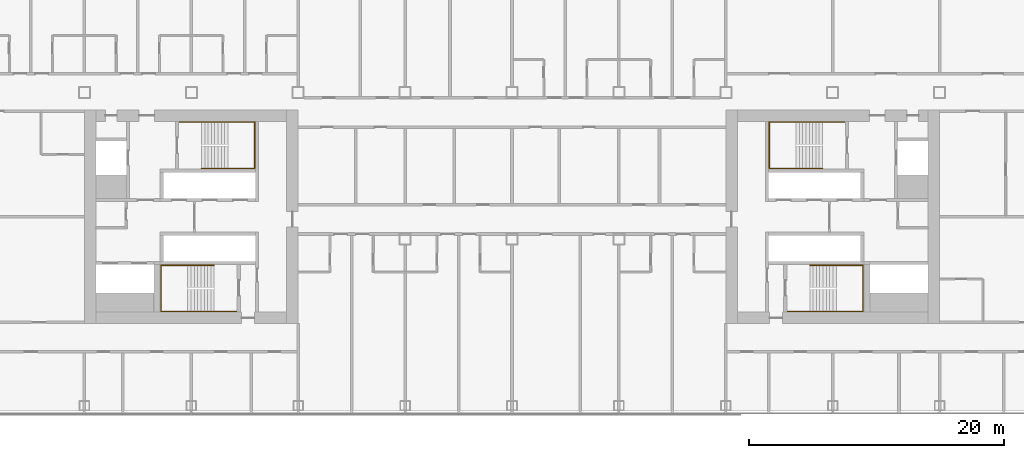
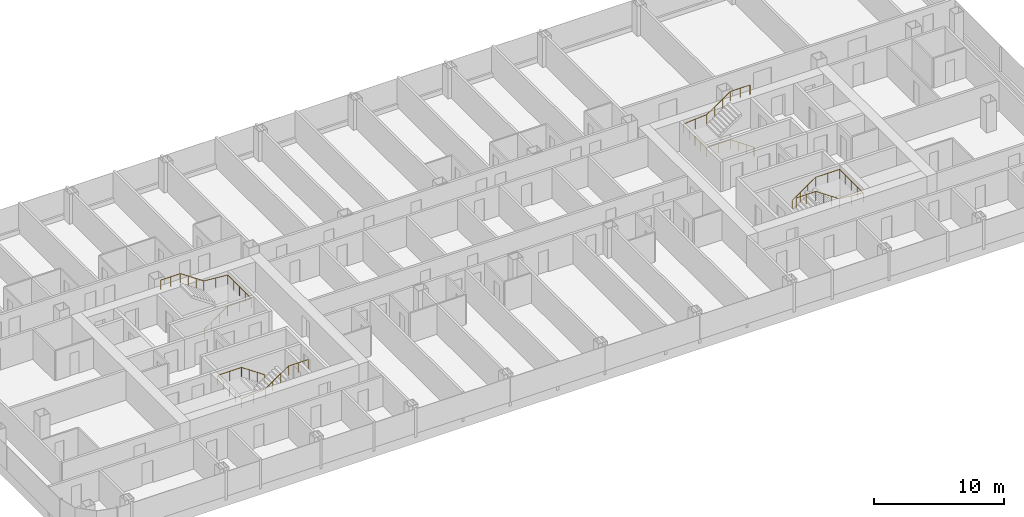
# One storey, part 29 of 29: 4 railings.
"""IFC4 building model written with IfcOpenShell, lengths in metres."""

from ifc_helpers import new_model, si_unit, direction, frame, origin, origin_2d, place, context, subcontext, project, spatial, circle, extrude, material, type_object, element, save


model = new_model("IFC4")

# Units and contexts
model_context = context("Model", 3, precision=1e-05, world=origin(), true_north=direction((0.0, 1.0)))
body_context = subcontext(model_context, "Body", "Model", "MODEL_VIEW")
ifc_project = project(units=[si_unit("LENGTHUNIT", "METRE"), si_unit("AREAUNIT", "SQUARE_METRE"), si_unit("VOLUMEUNIT", "CUBIC_METRE"), si_unit("PLANEANGLEUNIT", "RADIAN"), si_unit("MASSUNIT", "GRAM", prefix="KILO")], contexts=[model_context])

# Site, building, storey
site_placement = place(None, origin())
site = spatial("IfcSite", under=ifc_project, at=site_placement, CompositionType="ELEMENT")
building_placement = place(site_placement, origin())
building = spatial("IfcBuilding", under=site, at=building_placement, Name="Hakoniwa Tower and Hamabe Station Hall", CompositionType="ELEMENT")
storey_placement = place(building_placement, frame((0.0, 0.0, 110.60009765625)))
storey = spatial("IfcBuildingStorey", under=building, at=storey_placement, Name="L31", CompositionType="ELEMENT", Elevation=110.60009765625)

# Railings
ifc_material = material(Name="Stainless steel SUS304", Category="steel")
railing_type = type_object("IfcRailingType", Name="STAIR HANDRAIL 900", PredefinedType="HANDRAIL", material=ifc_material)
railing_1_placement = place(storey_placement, frame((-24.39990234375, 3.81005859375, 0.177734375)))
element("IfcRailing", 1, at=railing_1_placement, inside=storey, type_object=railing_type, Name="Handrail ST-1 L31 1", PredefinedType="HANDRAIL", context=body_context, shape_type="SweptSolid", body=[
    extrude(circle(Radius=0.02392578125, at=origin_2d()), frame((0.0, 0.0, 0.8759765625), z_axis=(0.825478349766, 0.0, 0.564433781827), x_axis=(0.0, 1.0, 0.0)), (0.0, 0.0, 1.0), 2.51953125),
    extrude(circle(Radius=0.02392578125, at=origin_2d()), frame((2.079833984375, 0.0, 2.2978515625), z_axis=(1.0, 0.0, 0.0), x_axis=(0.0, 1.0, 0.0)), (0.0, 0.0, 1.0), 2.110107421875),
    extrude(circle(Radius=0.02392578125, at=origin_2d()), frame((4.18994140625, 0.0, 2.2978515625), z_axis=(0.0, 1.0, 0.0), x_axis=(-1.0, 0.0, 0.0)), (0.0, 0.0, 1.0), 3.6298828125),
    extrude(circle(Radius=0.02392578125, at=origin_2d()), frame((4.18994140625, 3.6298828125, 2.2978515625), z_axis=(-0.996471417081, 0.0, 0.083932800143), x_axis=(0.0, -1.0, 0.0)), (0.0, 0.0, 1.0), 2.11767578125),
    extrude(circle(Radius=0.02392578125, at=origin_2d()), frame((2.079833984375, 3.6298828125, 2.4755859375), z_axis=(-0.825433201882, 0.0, 0.564499804456), x_axis=(0.0, -1.0, 0.0)), (0.0, 0.0, 1.0), 2.519775390625),
    extrude(circle(Radius=0.02392578125, at=origin_2d()), frame((0.0, 3.6298828125, 3.89794921875), z_axis=(-1.0, 0.0, 0.0), x_axis=(0.0, -1.0, 0.0)), (0.0, 0.0, 1.0), 1.739990234375),
    extrude(circle(Radius=0.02099609375, at=origin_2d()), origin(), (0.0, 0.0, 1.0), 0.851806640625),
    extrude(circle(Radius=0.02099609375, at=origin_2d()), frame((0.693359375, 0.0, 0.47412109375)), (0.0, 0.0, 1.0), 0.851806640625),
    extrude(circle(Radius=0.02099609375, at=origin_2d()), frame((1.386474609375, 0.0, 0.947998046875)), (0.0, 0.0, 1.0), 0.851806640625),
    extrude(circle(Radius=0.02099609375, at=origin_2d()), frame((2.079833984375, 0.0, 1.422119140625)), (0.0, 0.0, 1.0), 0.851806640625),
    extrude(circle(Radius=0.02099609375, at=origin_2d()), frame((3.134765625, 0.0, 1.422119140625)), (0.0, 0.0, 1.0), 0.851806640625),
    extrude(circle(Radius=0.02099609375, at=origin_2d()), frame((4.18994140625, 0.0, 1.422119140625)), (0.0, 0.0, 1.0), 0.851806640625),
    extrude(circle(Radius=0.02099609375, at=origin_2d()), frame((4.18994140625, 0.907470703125, 1.422119140625)), (0.0, 0.0, 1.0), 0.851806640625),
    extrude(circle(Radius=0.02099609375, at=origin_2d()), frame((4.18994140625, 1.81494140625, 1.422119140625)), (0.0, 0.0, 1.0), 0.851806640625),
    extrude(circle(Radius=0.02099609375, at=origin_2d()), frame((4.18994140625, 2.722412109375, 1.422119140625)), (0.0, 0.0, 1.0), 0.851806640625),
    extrude(circle(Radius=0.02099609375, at=origin_2d()), frame((4.18994140625, 3.6298828125, 1.422119140625)), (0.0, 0.0, 1.0), 0.851806640625),
    extrude(circle(Radius=0.02099609375, at=origin_2d()), frame((3.134765625, 3.6298828125, 1.510986328125)), (0.0, 0.0, 1.0), 0.851806640625),
    extrude(circle(Radius=0.02099609375, at=origin_2d()), frame((2.079833984375, 3.6298828125, 1.599853515625)), (0.0, 0.0, 1.0), 0.851806640625),
    extrude(circle(Radius=0.02099609375, at=origin_2d()), frame((1.386474609375, 3.6298828125, 2.073974609375)), (0.0, 0.0, 1.0), 0.851806640625),
    extrude(circle(Radius=0.02099609375, at=origin_2d()), frame((0.693359375, 3.6298828125, 2.548095703125)), (0.0, 0.0, 1.0), 0.851806640625),
    extrude(circle(Radius=0.02099609375, at=origin_2d()), frame((0.0, 3.6298828125, 3.022216796875)), (0.0, 0.0, 1.0), 0.851806640625),
    extrude(circle(Radius=0.02099609375, at=origin_2d()), frame((-0.8701171875, 3.6298828125, 3.022216796875)), (0.0, 0.0, 1.0), 0.851806640625),
    extrude(circle(Radius=0.02099609375, at=origin_2d()), frame((-1.739990234375, 3.6298828125, 3.022216796875)), (0.0, 0.0, 1.0), 0.851806640625),
])
railing_2_placement = place(storey_placement, frame((-23.39990234375, -3.81005859375, 0.177734375)))
element("IfcRailing", 2, at=railing_2_placement, inside=storey, type_object=railing_type, Name="Handrail ST-2 L31 1", PredefinedType="HANDRAIL", context=body_context, shape_type="SweptSolid", body=[
    extrude(circle(Radius=0.02392578125, at=origin_2d()), frame((0.0, 0.0, 0.8759765625), z_axis=(-0.82550921652, 0.0, 0.564388636881), x_axis=(0.0, -1.0, 0.0)), (0.0, 0.0, 1.0), 2.519775390625),
    extrude(circle(Radius=0.02392578125, at=origin_2d()), frame((-2.080078125, 0.0, 2.2978515625), z_axis=(-1.0, 0.0, 0.0), x_axis=(0.0, -1.0, 0.0)), (0.0, 0.0, 1.0), 2.110107421875),
    extrude(circle(Radius=0.02392578125, at=origin_2d()), frame((-4.190185546875, 0.0, 2.2978515625), z_axis=(0.0, -1.0, 0.0), x_axis=(1.0, 0.0, 0.0)), (0.0, 0.0, 1.0), 3.6298828125),
    extrude(circle(Radius=0.02392578125, at=origin_2d()), frame((-4.190185546875, -3.6298828125, 2.2978515625), z_axis=(0.996471417081, 0.0, 0.083932800143), x_axis=(0.0, 1.0, 0.0)), (0.0, 0.0, 1.0), 2.11767578125),
    extrude(circle(Radius=0.02392578125, at=origin_2d()), frame((-2.080078125, -3.6298828125, 2.4755859375), z_axis=(0.825464074169, 0.0, 0.564454659168), x_axis=(0.0, 1.0, 0.0)), (0.0, 0.0, 1.0), 2.519775390625),
    extrude(circle(Radius=0.02392578125, at=origin_2d()), frame((0.0, -3.6298828125, 3.89794921875), z_axis=(1.0, 0.0, 0.0), x_axis=(0.0, 1.0, 0.0)), (0.0, 0.0, 1.0), 1.739990234375),
    extrude(circle(Radius=0.02099609375, at=origin_2d()), origin(), (0.0, 0.0, 1.0), 0.851806640625),
    extrude(circle(Radius=0.02099609375, at=origin_2d()), frame((-0.693359375, 0.0, 0.47412109375)), (0.0, 0.0, 1.0), 0.851806640625),
    extrude(circle(Radius=0.02099609375, at=origin_2d()), frame((-1.38671875, 0.0, 0.947998046875)), (0.0, 0.0, 1.0), 0.851806640625),
    extrude(circle(Radius=0.02099609375, at=origin_2d()), frame((-2.080078125, 0.0, 1.422119140625)), (0.0, 0.0, 1.0), 0.851806640625),
    extrude(circle(Radius=0.02099609375, at=origin_2d()), frame((-3.13525390625, 0.0, 1.422119140625)), (0.0, 0.0, 1.0), 0.851806640625),
    extrude(circle(Radius=0.02099609375, at=origin_2d()), frame((-4.190185546875, 0.0, 1.422119140625)), (0.0, 0.0, 1.0), 0.851806640625),
    extrude(circle(Radius=0.02099609375, at=origin_2d()), frame((-4.190185546875, -0.907470703125, 1.422119140625)), (0.0, 0.0, 1.0), 0.851806640625),
    extrude(circle(Radius=0.02099609375, at=origin_2d()), frame((-4.190185546875, -1.81494140625, 1.422119140625)), (0.0, 0.0, 1.0), 0.851806640625),
    extrude(circle(Radius=0.02099609375, at=origin_2d()), frame((-4.190185546875, -2.722412109375, 1.422119140625)), (0.0, 0.0, 1.0), 0.851806640625),
    extrude(circle(Radius=0.02099609375, at=origin_2d()), frame((-4.190185546875, -3.6298828125, 1.422119140625)), (0.0, 0.0, 1.0), 0.851806640625),
    extrude(circle(Radius=0.02099609375, at=origin_2d()), frame((-3.13525390625, -3.6298828125, 1.510986328125)), (0.0, 0.0, 1.0), 0.851806640625),
    extrude(circle(Radius=0.02099609375, at=origin_2d()), frame((-2.080078125, -3.6298828125, 1.599853515625)), (0.0, 0.0, 1.0), 0.851806640625),
    extrude(circle(Radius=0.02099609375, at=origin_2d()), frame((-1.38671875, -3.6298828125, 2.073974609375)), (0.0, 0.0, 1.0), 0.851806640625),
    extrude(circle(Radius=0.02099609375, at=origin_2d()), frame((-0.693359375, -3.6298828125, 2.548095703125)), (0.0, 0.0, 1.0), 0.851806640625),
    extrude(circle(Radius=0.02099609375, at=origin_2d()), frame((0.0, -3.6298828125, 3.022216796875)), (0.0, 0.0, 1.0), 0.851806640625),
    extrude(circle(Radius=0.02099609375, at=origin_2d()), frame((0.8701171875, -3.6298828125, 3.022216796875)), (0.0, 0.0, 1.0), 0.851806640625),
    extrude(circle(Radius=0.02099609375, at=origin_2d()), frame((1.739990234375, -3.6298828125, 3.022216796875)), (0.0, 0.0, 1.0), 0.851806640625),
])
railing_3_placement = place(storey_placement, frame((24.39990234375, 3.81005859375, 0.177734375)))
element("IfcRailing", 3, at=railing_3_placement, inside=storey, type_object=railing_type, Name="Handrail ST-3 L31 1", PredefinedType="HANDRAIL", context=body_context, shape_type="SweptSolid", body=[
    extrude(circle(Radius=0.02392578125, at=origin_2d()), frame((0.0, 0.0, 0.8759765625), z_axis=(-0.825478349766, 0.0, 0.564433781827), x_axis=(0.0, -1.0, 0.0)), (0.0, 0.0, 1.0), 2.51953125),
    extrude(circle(Radius=0.02392578125, at=origin_2d()), frame((-2.079833984375, 0.0, 2.2978515625), z_axis=(-1.0, 0.0, 0.0), x_axis=(0.0, -1.0, 0.0)), (0.0, 0.0, 1.0), 2.110107421875),
    extrude(circle(Radius=0.02392578125, at=origin_2d()), frame((-4.18994140625, 0.0, 2.2978515625), z_axis=(0.0, 1.0, 0.0), x_axis=(-1.0, 0.0, 0.0)), (0.0, 0.0, 1.0), 3.6298828125),
    extrude(circle(Radius=0.02392578125, at=origin_2d()), frame((-4.18994140625, 3.6298828125, 2.2978515625), z_axis=(0.996471417081, 0.0, 0.083932800143), x_axis=(0.0, 1.0, 0.0)), (0.0, 0.0, 1.0), 2.11767578125),
    extrude(circle(Radius=0.02392578125, at=origin_2d()), frame((-2.079833984375, 3.6298828125, 2.4755859375), z_axis=(0.825433201882, 0.0, 0.564499804456), x_axis=(0.0, 1.0, 0.0)), (0.0, 0.0, 1.0), 2.519775390625),
    extrude(circle(Radius=0.02392578125, at=origin_2d()), frame((0.0, 3.6298828125, 3.89794921875), z_axis=(1.0, 0.0, 0.0), x_axis=(0.0, 1.0, 0.0)), (0.0, 0.0, 1.0), 1.739990234375),
    extrude(circle(Radius=0.02099609375, at=origin_2d()), origin(), (0.0, 0.0, 1.0), 0.851806640625),
    extrude(circle(Radius=0.02099609375, at=origin_2d()), frame((-0.693359375, 0.0, 0.47412109375)), (0.0, 0.0, 1.0), 0.851806640625),
    extrude(circle(Radius=0.02099609375, at=origin_2d()), frame((-1.386474609375, 0.0, 0.947998046875)), (0.0, 0.0, 1.0), 0.851806640625),
    extrude(circle(Radius=0.02099609375, at=origin_2d()), frame((-2.079833984375, 0.0, 1.422119140625)), (0.0, 0.0, 1.0), 0.851806640625),
    extrude(circle(Radius=0.02099609375, at=origin_2d()), frame((-3.134765625, 0.0, 1.422119140625)), (0.0, 0.0, 1.0), 0.851806640625),
    extrude(circle(Radius=0.02099609375, at=origin_2d()), frame((-4.18994140625, 0.0, 1.422119140625)), (0.0, 0.0, 1.0), 0.851806640625),
    extrude(circle(Radius=0.02099609375, at=origin_2d()), frame((-4.18994140625, 0.907470703125, 1.422119140625)), (0.0, 0.0, 1.0), 0.851806640625),
    extrude(circle(Radius=0.02099609375, at=origin_2d()), frame((-4.18994140625, 1.81494140625, 1.422119140625)), (0.0, 0.0, 1.0), 0.851806640625),
    extrude(circle(Radius=0.02099609375, at=origin_2d()), frame((-4.18994140625, 2.722412109375, 1.422119140625)), (0.0, 0.0, 1.0), 0.851806640625),
    extrude(circle(Radius=0.02099609375, at=origin_2d()), frame((-4.18994140625, 3.6298828125, 1.422119140625)), (0.0, 0.0, 1.0), 0.851806640625),
    extrude(circle(Radius=0.02099609375, at=origin_2d()), frame((-3.134765625, 3.6298828125, 1.510986328125)), (0.0, 0.0, 1.0), 0.851806640625),
    extrude(circle(Radius=0.02099609375, at=origin_2d()), frame((-2.079833984375, 3.6298828125, 1.599853515625)), (0.0, 0.0, 1.0), 0.851806640625),
    extrude(circle(Radius=0.02099609375, at=origin_2d()), frame((-1.386474609375, 3.6298828125, 2.073974609375)), (0.0, 0.0, 1.0), 0.851806640625),
    extrude(circle(Radius=0.02099609375, at=origin_2d()), frame((-0.693359375, 3.6298828125, 2.548095703125)), (0.0, 0.0, 1.0), 0.851806640625),
    extrude(circle(Radius=0.02099609375, at=origin_2d()), frame((0.0, 3.6298828125, 3.022216796875)), (0.0, 0.0, 1.0), 0.851806640625),
    extrude(circle(Radius=0.02099609375, at=origin_2d()), frame((0.8701171875, 3.6298828125, 3.022216796875)), (0.0, 0.0, 1.0), 0.851806640625),
    extrude(circle(Radius=0.02099609375, at=origin_2d()), frame((1.739990234375, 3.6298828125, 3.022216796875)), (0.0, 0.0, 1.0), 0.851806640625),
])
railing_4_placement = place(storey_placement, frame((23.39990234375, -3.81005859375, 0.177734375)))
element("IfcRailing", 4, at=railing_4_placement, inside=storey, type_object=railing_type, Name="Handrail ST-4 L31 1", PredefinedType="HANDRAIL", context=body_context, shape_type="SweptSolid", body=[
    extrude(circle(Radius=0.02392578125, at=origin_2d()), frame((0.0, 0.0, 0.8759765625), z_axis=(0.82550921652, 0.0, 0.564388636881), x_axis=(0.0, 1.0, 0.0)), (0.0, 0.0, 1.0), 2.519775390625),
    extrude(circle(Radius=0.02392578125, at=origin_2d()), frame((2.080078125, 0.0, 2.2978515625), z_axis=(1.0, 0.0, 0.0), x_axis=(0.0, 1.0, 0.0)), (0.0, 0.0, 1.0), 2.110107421875),
    extrude(circle(Radius=0.02392578125, at=origin_2d()), frame((4.190185546875, 0.0, 2.2978515625), z_axis=(0.0, -1.0, 0.0), x_axis=(1.0, 0.0, 0.0)), (0.0, 0.0, 1.0), 3.6298828125),
    extrude(circle(Radius=0.02392578125, at=origin_2d()), frame((4.190185546875, -3.6298828125, 2.2978515625), z_axis=(-0.996471417081, 0.0, 0.083932800143), x_axis=(0.0, -1.0, 0.0)), (0.0, 0.0, 1.0), 2.11767578125),
    extrude(circle(Radius=0.02392578125, at=origin_2d()), frame((2.080078125, -3.6298828125, 2.4755859375), z_axis=(-0.825464074169, 0.0, 0.564454659168), x_axis=(0.0, -1.0, 0.0)), (0.0, 0.0, 1.0), 2.519775390625),
    extrude(circle(Radius=0.02392578125, at=origin_2d()), frame((0.0, -3.6298828125, 3.89794921875), z_axis=(-1.0, 0.0, 0.0), x_axis=(0.0, -1.0, 0.0)), (0.0, 0.0, 1.0), 1.739990234375),
    extrude(circle(Radius=0.02099609375, at=origin_2d()), origin(), (0.0, 0.0, 1.0), 0.851806640625),
    extrude(circle(Radius=0.02099609375, at=origin_2d()), frame((0.693359375, 0.0, 0.47412109375)), (0.0, 0.0, 1.0), 0.851806640625),
    extrude(circle(Radius=0.02099609375, at=origin_2d()), frame((1.38671875, 0.0, 0.947998046875)), (0.0, 0.0, 1.0), 0.851806640625),
    extrude(circle(Radius=0.02099609375, at=origin_2d()), frame((2.080078125, 0.0, 1.422119140625)), (0.0, 0.0, 1.0), 0.851806640625),
    extrude(circle(Radius=0.02099609375, at=origin_2d()), frame((3.13525390625, 0.0, 1.422119140625)), (0.0, 0.0, 1.0), 0.851806640625),
    extrude(circle(Radius=0.02099609375, at=origin_2d()), frame((4.190185546875, 0.0, 1.422119140625)), (0.0, 0.0, 1.0), 0.851806640625),
    extrude(circle(Radius=0.02099609375, at=origin_2d()), frame((4.190185546875, -0.907470703125, 1.422119140625)), (0.0, 0.0, 1.0), 0.851806640625),
    extrude(circle(Radius=0.02099609375, at=origin_2d()), frame((4.190185546875, -1.81494140625, 1.422119140625)), (0.0, 0.0, 1.0), 0.851806640625),
    extrude(circle(Radius=0.02099609375, at=origin_2d()), frame((4.190185546875, -2.722412109375, 1.422119140625)), (0.0, 0.0, 1.0), 0.851806640625),
    extrude(circle(Radius=0.02099609375, at=origin_2d()), frame((4.190185546875, -3.6298828125, 1.422119140625)), (0.0, 0.0, 1.0), 0.851806640625),
    extrude(circle(Radius=0.02099609375, at=origin_2d()), frame((3.13525390625, -3.6298828125, 1.510986328125)), (0.0, 0.0, 1.0), 0.851806640625),
    extrude(circle(Radius=0.02099609375, at=origin_2d()), frame((2.080078125, -3.6298828125, 1.599853515625)), (0.0, 0.0, 1.0), 0.851806640625),
    extrude(circle(Radius=0.02099609375, at=origin_2d()), frame((1.38671875, -3.6298828125, 2.073974609375)), (0.0, 0.0, 1.0), 0.851806640625),
    extrude(circle(Radius=0.02099609375, at=origin_2d()), frame((0.693359375, -3.6298828125, 2.548095703125)), (0.0, 0.0, 1.0), 0.851806640625),
    extrude(circle(Radius=0.02099609375, at=origin_2d()), frame((0.0, -3.6298828125, 3.022216796875)), (0.0, 0.0, 1.0), 0.851806640625),
    extrude(circle(Radius=0.02099609375, at=origin_2d()), frame((-0.8701171875, -3.6298828125, 3.022216796875)), (0.0, 0.0, 1.0), 0.851806640625),
    extrude(circle(Radius=0.02099609375, at=origin_2d()), frame((-1.739990234375, -3.6298828125, 3.022216796875)), (0.0, 0.0, 1.0), 0.851806640625),
])

save(model, "model.ifc")
